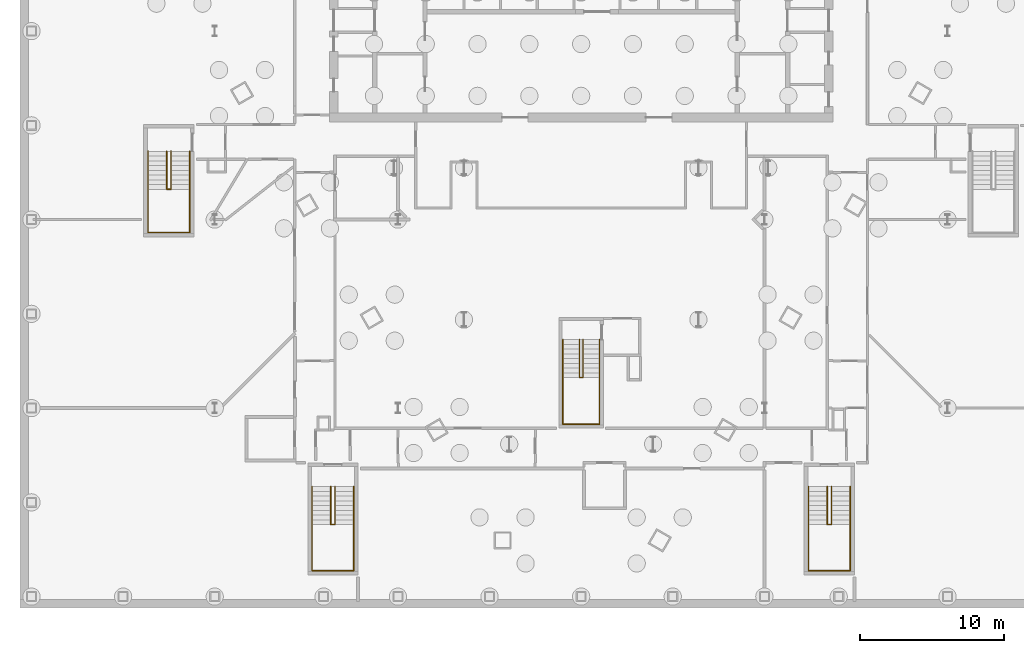
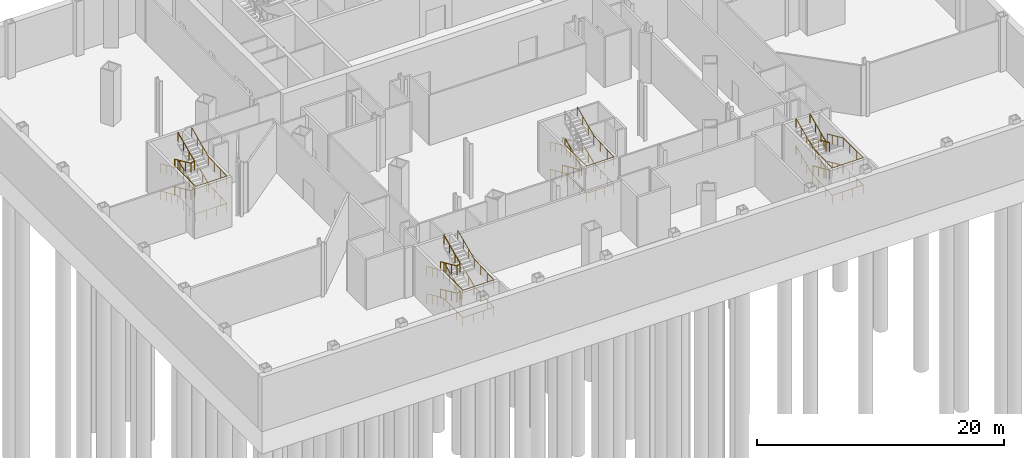
# One storey, part 17 of 19: 15 railings.
"""IFC4 building model written with IfcOpenShell, lengths in metres."""

from ifc_helpers import new_model, si_unit, direction, frame, origin, origin_2d, place, context, subcontext, project, spatial, circle, extrude, material, type_object, element, save


model = new_model("IFC4")

# Units and contexts
model_context = context("Model", 3, precision=1e-05, world=origin(), true_north=direction((0.0, 1.0)))
body_context = subcontext(model_context, "Body", "Model", "MODEL_VIEW")
ifc_project = project(units=[si_unit("LENGTHUNIT", "METRE"), si_unit("AREAUNIT", "SQUARE_METRE"), si_unit("VOLUMEUNIT", "CUBIC_METRE"), si_unit("PLANEANGLEUNIT", "RADIAN"), si_unit("MASSUNIT", "GRAM", prefix="KILO")], contexts=[model_context])

# Site, building, storey
site_placement = place(None, origin())
site = spatial("IfcSite", under=ifc_project, at=site_placement, CompositionType="ELEMENT")
building_placement = place(site_placement, origin())
building = spatial("IfcBuilding", under=site, at=building_placement, Name="Njiva Tower", CompositionType="ELEMENT")
storey_placement = place(building_placement, frame((0.0, 0.0, -16.8)))
storey = spatial("IfcBuildingStorey", under=building, at=storey_placement, Name="B3", CompositionType="ELEMENT", Elevation=-16.8)

# Railings
ifc_material = material(Name="Stainless steel", Category="steel")
railing_type = type_object("IfcRailingType", Name="RL1 Stair handrail 900", PredefinedType="HANDRAIL", material=ifc_material)
railing_1_placement = place(storey_placement, frame((-1.275, -15.135, 0.15)))
element("IfcRailing", 1, at=railing_1_placement, inside=storey, type_object=railing_type, Name="Stair C handrail", PredefinedType="HANDRAIL", context=body_context, shape_type="SweptSolid", body=[
    extrude(circle(Radius=0.024, at=origin_2d()), frame((0.0, 0.0, 0.876), z_axis=(0.0, -0.910366477463, 0.413802944301), x_axis=(1.0, 0.0, 0.0)), (0.0, 0.0, 1.0), 2.8999),
    extrude(circle(Radius=0.024, at=origin_2d()), frame((0.0, -2.64, 2.076), z_axis=(0.0, -1.0, 0.0), x_axis=(1.0, 0.0, 0.0)), (0.0, 0.0, 1.0), 3.25),
    extrude(circle(Radius=0.024, at=origin_2d()), frame((0.0, -5.89, 2.076), z_axis=(1.0, 0.0, 0.0), x_axis=(0.0, 1.0, 0.0)), (0.0, 0.0, 1.0), 2.55),
    extrude(circle(Radius=0.024, at=origin_2d()), frame((2.55, -5.89, 2.076), z_axis=(0.0, 0.998936609849, 0.046104766608), x_axis=(-1.0, 0.0, 0.0)), (0.0, 0.0, 1.0), 3.2535),
    extrude(circle(Radius=0.024, at=origin_2d()), frame((2.55, -2.64, 2.226), z_axis=(0.0, 0.910366477463, 0.413802944301), x_axis=(-1.0, 0.0, 0.0)), (0.0, 0.0, 1.0), 2.8999),
    extrude(circle(Radius=0.021, at=origin_2d()), origin(), (0.0, 0.0, 1.0), 0.852),
    extrude(circle(Radius=0.021, at=origin_2d()), frame((0.0, -0.88, 0.4)), (0.0, 0.0, 1.0), 0.852),
    extrude(circle(Radius=0.021, at=origin_2d()), frame((0.0, -1.76, 0.8)), (0.0, 0.0, 1.0), 0.852),
    extrude(circle(Radius=0.021, at=origin_2d()), frame((0.0, -2.64, 1.2)), (0.0, 0.0, 1.0), 0.852),
    extrude(circle(Radius=0.021, at=origin_2d()), frame((0.0, -3.7233, 1.2)), (0.0, 0.0, 1.0), 0.852),
    extrude(circle(Radius=0.021, at=origin_2d()), frame((0.0, -4.8067, 1.2)), (0.0, 0.0, 1.0), 0.852),
    extrude(circle(Radius=0.021, at=origin_2d()), frame((0.0, -5.89, 1.2)), (0.0, 0.0, 1.0), 0.852),
    extrude(circle(Radius=0.021, at=origin_2d()), frame((0.85, -5.89, 1.2)), (0.0, 0.0, 1.0), 0.852),
    extrude(circle(Radius=0.021, at=origin_2d()), frame((1.7, -5.89, 1.2)), (0.0, 0.0, 1.0), 0.852),
    extrude(circle(Radius=0.021, at=origin_2d()), frame((2.55, -5.89, 1.2)), (0.0, 0.0, 1.0), 0.852),
    extrude(circle(Radius=0.021, at=origin_2d()), frame((2.55, -4.8067, 1.25)), (0.0, 0.0, 1.0), 0.852),
    extrude(circle(Radius=0.021, at=origin_2d()), frame((2.55, -3.7233, 1.3)), (0.0, 0.0, 1.0), 0.852),
    extrude(circle(Radius=0.021, at=origin_2d()), frame((2.55, -2.64, 1.35)), (0.0, 0.0, 1.0), 0.852),
    extrude(circle(Radius=0.021, at=origin_2d()), frame((2.55, -1.76, 1.75)), (0.0, 0.0, 1.0), 0.852),
    extrude(circle(Radius=0.021, at=origin_2d()), frame((2.55, -0.88, 2.15)), (0.0, 0.0, 1.0), 0.852),
    extrude(circle(Radius=0.021, at=origin_2d()), frame((2.55, 0.0, 2.55)), (0.0, 0.0, 1.0), 0.852),
])
railing_2_placement = place(storey_placement, frame((-0.125, -15.135, 0.15)))
element("IfcRailing", 2, at=railing_2_placement, inside=storey, type_object=railing_type, Name="Stair C handrail", PredefinedType="HANDRAIL", context=body_context, shape_type="SweptSolid", body=[
    extrude(circle(Radius=0.024, at=origin_2d()), frame((0.0, 0.0, 0.876), z_axis=(0.0, -0.910366477463, 0.413802944301), x_axis=(1.0, 0.0, 0.0)), (0.0, 0.0, 1.0), 2.8999),
    extrude(circle(Radius=0.024, at=origin_2d()), frame((0.0, -2.64, 2.076), z_axis=(0.857492925713, 0.0, 0.514495755428), x_axis=(0.0, 1.0, 0.0)), (0.0, 0.0, 1.0), 0.2915),
    extrude(circle(Radius=0.024, at=origin_2d()), frame((0.25, -2.64, 2.226), z_axis=(0.0, 0.910366477463, 0.413802944301), x_axis=(-1.0, 0.0, 0.0)), (0.0, 0.0, 1.0), 2.8999),
    extrude(circle(Radius=0.021, at=origin_2d()), origin(), (0.0, 0.0, 1.0), 0.852),
    extrude(circle(Radius=0.021, at=origin_2d()), frame((0.0, -0.88, 0.4)), (0.0, 0.0, 1.0), 0.852),
    extrude(circle(Radius=0.021, at=origin_2d()), frame((0.0, -1.76, 0.8)), (0.0, 0.0, 1.0), 0.852),
    extrude(circle(Radius=0.021, at=origin_2d()), frame((0.0, -2.64, 1.2)), (0.0, 0.0, 1.0), 0.852),
    extrude(circle(Radius=0.021, at=origin_2d()), frame((0.25, -2.64, 1.35)), (0.0, 0.0, 1.0), 0.852),
    extrude(circle(Radius=0.021, at=origin_2d()), frame((0.25, -1.76, 1.75)), (0.0, 0.0, 1.0), 0.852),
    extrude(circle(Radius=0.021, at=origin_2d()), frame((0.25, -0.88, 2.15)), (0.0, 0.0, 1.0), 0.852),
    extrude(circle(Radius=0.021, at=origin_2d()), frame((0.25, 0.0, 2.55)), (0.0, 0.0, 1.0), 0.852),
])
railing_3_placement = place(storey_placement, frame((-1.275, -15.135, 2.85)))
element("IfcRailing", 3, at=railing_3_placement, inside=storey, type_object=railing_type, Name="Stair C handrail", PredefinedType="HANDRAIL", context=body_context, shape_type="SweptSolid", body=[
    extrude(circle(Radius=0.024, at=origin_2d()), frame((0.0, 0.0, 0.876), z_axis=(0.0, -0.910366477463, 0.413802944301), x_axis=(1.0, 0.0, 0.0)), (0.0, 0.0, 1.0), 2.8999),
    extrude(circle(Radius=0.024, at=origin_2d()), frame((0.0, -2.64, 2.076), z_axis=(0.0, -1.0, 0.0), x_axis=(1.0, 0.0, 0.0)), (0.0, 0.0, 1.0), 3.25),
    extrude(circle(Radius=0.024, at=origin_2d()), frame((0.0, -5.89, 2.076), z_axis=(1.0, 0.0, 0.0), x_axis=(0.0, 1.0, 0.0)), (0.0, 0.0, 1.0), 2.55),
    extrude(circle(Radius=0.024, at=origin_2d()), frame((2.55, -5.89, 2.076), z_axis=(0.0, 0.998936609849, 0.046104766608), x_axis=(-1.0, 0.0, 0.0)), (0.0, 0.0, 1.0), 3.2535),
    extrude(circle(Radius=0.024, at=origin_2d()), frame((2.55, -2.64, 2.226), z_axis=(0.0, 0.910366477463, 0.413802944301), x_axis=(-1.0, 0.0, 0.0)), (0.0, 0.0, 1.0), 2.8999),
    extrude(circle(Radius=0.021, at=origin_2d()), origin(), (0.0, 0.0, 1.0), 0.852),
    extrude(circle(Radius=0.021, at=origin_2d()), frame((0.0, -0.88, 0.4)), (0.0, 0.0, 1.0), 0.852),
    extrude(circle(Radius=0.021, at=origin_2d()), frame((0.0, -1.76, 0.8)), (0.0, 0.0, 1.0), 0.852),
    extrude(circle(Radius=0.021, at=origin_2d()), frame((0.0, -2.64, 1.2)), (0.0, 0.0, 1.0), 0.852),
    extrude(circle(Radius=0.021, at=origin_2d()), frame((0.0, -3.7233, 1.2)), (0.0, 0.0, 1.0), 0.852),
    extrude(circle(Radius=0.021, at=origin_2d()), frame((0.0, -4.8067, 1.2)), (0.0, 0.0, 1.0), 0.852),
    extrude(circle(Radius=0.021, at=origin_2d()), frame((0.0, -5.89, 1.2)), (0.0, 0.0, 1.0), 0.852),
    extrude(circle(Radius=0.021, at=origin_2d()), frame((0.85, -5.89, 1.2)), (0.0, 0.0, 1.0), 0.852),
    extrude(circle(Radius=0.021, at=origin_2d()), frame((1.7, -5.89, 1.2)), (0.0, 0.0, 1.0), 0.852),
    extrude(circle(Radius=0.021, at=origin_2d()), frame((2.55, -5.89, 1.2)), (0.0, 0.0, 1.0), 0.852),
    extrude(circle(Radius=0.021, at=origin_2d()), frame((2.55, -4.8067, 1.25)), (0.0, 0.0, 1.0), 0.852),
    extrude(circle(Radius=0.021, at=origin_2d()), frame((2.55, -3.7233, 1.3)), (0.0, 0.0, 1.0), 0.852),
    extrude(circle(Radius=0.021, at=origin_2d()), frame((2.55, -2.64, 1.35)), (0.0, 0.0, 1.0), 0.852),
    extrude(circle(Radius=0.021, at=origin_2d()), frame((2.55, -1.76, 1.75)), (0.0, 0.0, 1.0), 0.852),
    extrude(circle(Radius=0.021, at=origin_2d()), frame((2.55, -0.88, 2.15)), (0.0, 0.0, 1.0), 0.852),
    extrude(circle(Radius=0.021, at=origin_2d()), frame((2.55, 0.0, 2.55)), (0.0, 0.0, 1.0), 0.852),
])
railing_4_placement = place(storey_placement, frame((-18.7, -25.35, 0.15)))
element("IfcRailing", 4, at=railing_4_placement, inside=storey, type_object=railing_type, Name="Stair D handrail", PredefinedType="HANDRAIL", context=body_context, shape_type="SweptSolid", body=[
    extrude(circle(Radius=0.024, at=origin_2d()), frame((0.0, 0.0, 0.876), z_axis=(0.0, -0.910366477463, 0.413802944301), x_axis=(1.0, 0.0, 0.0)), (0.0, 0.0, 1.0), 2.8999),
    extrude(circle(Radius=0.024, at=origin_2d()), frame((0.0, -2.64, 2.076), z_axis=(0.0, -1.0, 0.0), x_axis=(1.0, 0.0, 0.0)), (0.0, 0.0, 1.0), 3.21),
    extrude(circle(Radius=0.024, at=origin_2d()), frame((0.0, -5.85, 2.076), z_axis=(1.0, 0.0, 0.0), x_axis=(0.0, 1.0, 0.0)), (0.0, 0.0, 1.0), 2.9),
    extrude(circle(Radius=0.024, at=origin_2d()), frame((2.9, -5.85, 2.076), z_axis=(0.0, 0.998909986378, 0.046678036747), x_axis=(-1.0, 0.0, 0.0)), (0.0, 0.0, 1.0), 3.2135),
    extrude(circle(Radius=0.024, at=origin_2d()), frame((2.9, -2.64, 2.226), z_axis=(0.0, 0.910366477463, 0.413802944301), x_axis=(-1.0, 0.0, 0.0)), (0.0, 0.0, 1.0), 2.8999),
    extrude(circle(Radius=0.021, at=origin_2d()), origin(), (0.0, 0.0, 1.0), 0.852),
    extrude(circle(Radius=0.021, at=origin_2d()), frame((0.0, -0.88, 0.4)), (0.0, 0.0, 1.0), 0.852),
    extrude(circle(Radius=0.021, at=origin_2d()), frame((0.0, -1.76, 0.8)), (0.0, 0.0, 1.0), 0.852),
    extrude(circle(Radius=0.021, at=origin_2d()), frame((0.0, -2.64, 1.2)), (0.0, 0.0, 1.0), 0.852),
    extrude(circle(Radius=0.021, at=origin_2d()), frame((0.0, -3.71, 1.2)), (0.0, 0.0, 1.0), 0.852),
    extrude(circle(Radius=0.021, at=origin_2d()), frame((0.0, -4.78, 1.2)), (0.0, 0.0, 1.0), 0.852),
    extrude(circle(Radius=0.021, at=origin_2d()), frame((0.0, -5.85, 1.2)), (0.0, 0.0, 1.0), 0.852),
    extrude(circle(Radius=0.021, at=origin_2d()), frame((0.9667, -5.85, 1.2)), (0.0, 0.0, 1.0), 0.852),
    extrude(circle(Radius=0.021, at=origin_2d()), frame((1.9333, -5.85, 1.2)), (0.0, 0.0, 1.0), 0.852),
    extrude(circle(Radius=0.021, at=origin_2d()), frame((2.9, -5.85, 1.2)), (0.0, 0.0, 1.0), 0.852),
    extrude(circle(Radius=0.021, at=origin_2d()), frame((2.9, -4.78, 1.25)), (0.0, 0.0, 1.0), 0.852),
    extrude(circle(Radius=0.021, at=origin_2d()), frame((2.9, -3.71, 1.3)), (0.0, 0.0, 1.0), 0.852),
    extrude(circle(Radius=0.021, at=origin_2d()), frame((2.9, -2.64, 1.35)), (0.0, 0.0, 1.0), 0.852),
    extrude(circle(Radius=0.021, at=origin_2d()), frame((2.9, -1.76, 1.75)), (0.0, 0.0, 1.0), 0.852),
    extrude(circle(Radius=0.021, at=origin_2d()), frame((2.9, -0.88, 2.15)), (0.0, 0.0, 1.0), 0.852),
    extrude(circle(Radius=0.021, at=origin_2d()), frame((2.9, 0.0, 2.55)), (0.0, 0.0, 1.0), 0.852),
])
railing_5_placement = place(storey_placement, frame((-17.4, -25.35, 0.15)))
element("IfcRailing", 5, at=railing_5_placement, inside=storey, type_object=railing_type, Name="Stair D handrail", PredefinedType="HANDRAIL", context=body_context, shape_type="SweptSolid", body=[
    extrude(circle(Radius=0.024, at=origin_2d()), frame((0.0, 0.0, 0.876), z_axis=(0.0, -0.910366477463, 0.413802944301), x_axis=(1.0, 0.0, 0.0)), (0.0, 0.0, 1.0), 2.8999),
    extrude(circle(Radius=0.024, at=origin_2d()), frame((0.0, -2.64, 2.076), z_axis=(0.894427191, 0.0, 0.4472135955), x_axis=(0.0, 1.0, 0.0)), (0.0, 0.0, 1.0), 0.3354),
    extrude(circle(Radius=0.024, at=origin_2d()), frame((0.3, -2.64, 2.226), z_axis=(0.0, 0.910366477463, 0.413802944301), x_axis=(-1.0, 0.0, 0.0)), (0.0, 0.0, 1.0), 2.8999),
    extrude(circle(Radius=0.021, at=origin_2d()), origin(), (0.0, 0.0, 1.0), 0.852),
    extrude(circle(Radius=0.021, at=origin_2d()), frame((0.0, -0.88, 0.4)), (0.0, 0.0, 1.0), 0.852),
    extrude(circle(Radius=0.021, at=origin_2d()), frame((0.0, -1.76, 0.8)), (0.0, 0.0, 1.0), 0.852),
    extrude(circle(Radius=0.021, at=origin_2d()), frame((0.0, -2.64, 1.2)), (0.0, 0.0, 1.0), 0.852),
    extrude(circle(Radius=0.021, at=origin_2d()), frame((0.3, -2.64, 1.35)), (0.0, 0.0, 1.0), 0.852),
    extrude(circle(Radius=0.021, at=origin_2d()), frame((0.3, -1.76, 1.75)), (0.0, 0.0, 1.0), 0.852),
    extrude(circle(Radius=0.021, at=origin_2d()), frame((0.3, -0.88, 2.15)), (0.0, 0.0, 1.0), 0.852),
    extrude(circle(Radius=0.021, at=origin_2d()), frame((0.3, 0.0, 2.55)), (0.0, 0.0, 1.0), 0.852),
])
railing_6_placement = place(storey_placement, frame((-18.7, -25.35, 2.85)))
element("IfcRailing", 6, at=railing_6_placement, inside=storey, type_object=railing_type, Name="Stair D handrail", PredefinedType="HANDRAIL", context=body_context, shape_type="SweptSolid", body=[
    extrude(circle(Radius=0.024, at=origin_2d()), frame((0.0, 0.0, 0.876), z_axis=(0.0, -0.910366477463, 0.413802944301), x_axis=(1.0, 0.0, 0.0)), (0.0, 0.0, 1.0), 2.8999),
    extrude(circle(Radius=0.024, at=origin_2d()), frame((0.0, -2.64, 2.076), z_axis=(0.0, -1.0, 0.0), x_axis=(1.0, 0.0, 0.0)), (0.0, 0.0, 1.0), 3.21),
    extrude(circle(Radius=0.024, at=origin_2d()), frame((0.0, -5.85, 2.076), z_axis=(1.0, 0.0, 0.0), x_axis=(0.0, 1.0, 0.0)), (0.0, 0.0, 1.0), 2.9),
    extrude(circle(Radius=0.024, at=origin_2d()), frame((2.9, -5.85, 2.076), z_axis=(0.0, 0.998909986378, 0.046678036747), x_axis=(-1.0, 0.0, 0.0)), (0.0, 0.0, 1.0), 3.2135),
    extrude(circle(Radius=0.024, at=origin_2d()), frame((2.9, -2.64, 2.226), z_axis=(0.0, 0.910366477463, 0.413802944301), x_axis=(-1.0, 0.0, 0.0)), (0.0, 0.0, 1.0), 2.8999),
    extrude(circle(Radius=0.021, at=origin_2d()), origin(), (0.0, 0.0, 1.0), 0.852),
    extrude(circle(Radius=0.021, at=origin_2d()), frame((0.0, -0.88, 0.4)), (0.0, 0.0, 1.0), 0.852),
    extrude(circle(Radius=0.021, at=origin_2d()), frame((0.0, -1.76, 0.8)), (0.0, 0.0, 1.0), 0.852),
    extrude(circle(Radius=0.021, at=origin_2d()), frame((0.0, -2.64, 1.2)), (0.0, 0.0, 1.0), 0.852),
    extrude(circle(Radius=0.021, at=origin_2d()), frame((0.0, -3.71, 1.2)), (0.0, 0.0, 1.0), 0.852),
    extrude(circle(Radius=0.021, at=origin_2d()), frame((0.0, -4.78, 1.2)), (0.0, 0.0, 1.0), 0.852),
    extrude(circle(Radius=0.021, at=origin_2d()), frame((0.0, -5.85, 1.2)), (0.0, 0.0, 1.0), 0.852),
    extrude(circle(Radius=0.021, at=origin_2d()), frame((0.9667, -5.85, 1.2)), (0.0, 0.0, 1.0), 0.852),
    extrude(circle(Radius=0.021, at=origin_2d()), frame((1.9333, -5.85, 1.2)), (0.0, 0.0, 1.0), 0.852),
    extrude(circle(Radius=0.021, at=origin_2d()), frame((2.9, -5.85, 1.2)), (0.0, 0.0, 1.0), 0.852),
    extrude(circle(Radius=0.021, at=origin_2d()), frame((2.9, -4.78, 1.25)), (0.0, 0.0, 1.0), 0.852),
    extrude(circle(Radius=0.021, at=origin_2d()), frame((2.9, -3.71, 1.3)), (0.0, 0.0, 1.0), 0.852),
    extrude(circle(Radius=0.021, at=origin_2d()), frame((2.9, -2.64, 1.35)), (0.0, 0.0, 1.0), 0.852),
    extrude(circle(Radius=0.021, at=origin_2d()), frame((2.9, -1.76, 1.75)), (0.0, 0.0, 1.0), 0.852),
    extrude(circle(Radius=0.021, at=origin_2d()), frame((2.9, -0.88, 2.15)), (0.0, 0.0, 1.0), 0.852),
    extrude(circle(Radius=0.021, at=origin_2d()), frame((2.9, 0.0, 2.55)), (0.0, 0.0, 1.0), 0.852),
])
railing_7_placement = place(storey_placement, frame((-17.4, -25.35, 2.85)))
element("IfcRailing", 7, at=railing_7_placement, inside=storey, type_object=railing_type, Name="Stair D handrail", PredefinedType="HANDRAIL", context=body_context, shape_type="SweptSolid", body=[
    extrude(circle(Radius=0.024, at=origin_2d()), frame((0.0, 0.0, 0.876), z_axis=(0.0, -0.910366477463, 0.413802944301), x_axis=(1.0, 0.0, 0.0)), (0.0, 0.0, 1.0), 2.8999),
    extrude(circle(Radius=0.024, at=origin_2d()), frame((0.0, -2.64, 2.076), z_axis=(0.894427191, 0.0, 0.4472135955), x_axis=(0.0, 1.0, 0.0)), (0.0, 0.0, 1.0), 0.3354),
    extrude(circle(Radius=0.024, at=origin_2d()), frame((0.3, -2.64, 2.226), z_axis=(0.0, 0.910366477463, 0.413802944301), x_axis=(-1.0, 0.0, 0.0)), (0.0, 0.0, 1.0), 2.8999),
    extrude(circle(Radius=0.021, at=origin_2d()), origin(), (0.0, 0.0, 1.0), 0.852),
    extrude(circle(Radius=0.021, at=origin_2d()), frame((0.0, -0.88, 0.4)), (0.0, 0.0, 1.0), 0.852),
    extrude(circle(Radius=0.021, at=origin_2d()), frame((0.0, -1.76, 0.8)), (0.0, 0.0, 1.0), 0.852),
    extrude(circle(Radius=0.021, at=origin_2d()), frame((0.0, -2.64, 1.2)), (0.0, 0.0, 1.0), 0.852),
    extrude(circle(Radius=0.021, at=origin_2d()), frame((0.3, -2.64, 1.35)), (0.0, 0.0, 1.0), 0.852),
    extrude(circle(Radius=0.021, at=origin_2d()), frame((0.3, -1.76, 1.75)), (0.0, 0.0, 1.0), 0.852),
    extrude(circle(Radius=0.021, at=origin_2d()), frame((0.3, -0.88, 2.15)), (0.0, 0.0, 1.0), 0.852),
    extrude(circle(Radius=0.021, at=origin_2d()), frame((0.3, 0.0, 2.55)), (0.0, 0.0, 1.0), 0.852),
])
railing_8_placement = place(storey_placement, frame((18.7, -25.35, 0.15)))
element("IfcRailing", 8, at=railing_8_placement, inside=storey, type_object=railing_type, Name="Stair E handrail", PredefinedType="HANDRAIL", context=body_context, shape_type="SweptSolid", body=[
    extrude(circle(Radius=0.024, at=origin_2d()), frame((0.0, 0.0, 0.876), z_axis=(0.0, -0.910366477463, 0.413802944301), x_axis=(1.0, 0.0, 0.0)), (0.0, 0.0, 1.0), 2.8999),
    extrude(circle(Radius=0.024, at=origin_2d()), frame((0.0, -2.64, 2.076), z_axis=(0.0, -1.0, 0.0), x_axis=(1.0, 0.0, 0.0)), (0.0, 0.0, 1.0), 3.21),
    extrude(circle(Radius=0.024, at=origin_2d()), frame((0.0, -5.85, 2.076), z_axis=(-1.0, 0.0, 0.0), x_axis=(0.0, -1.0, 0.0)), (0.0, 0.0, 1.0), 2.9),
    extrude(circle(Radius=0.024, at=origin_2d()), frame((-2.9, -5.85, 2.076), z_axis=(0.0, 0.998909986378, 0.046678036747), x_axis=(-1.0, 0.0, 0.0)), (0.0, 0.0, 1.0), 3.2135),
    extrude(circle(Radius=0.024, at=origin_2d()), frame((-2.9, -2.64, 2.226), z_axis=(0.0, 0.910366477463, 0.413802944301), x_axis=(-1.0, 0.0, 0.0)), (0.0, 0.0, 1.0), 2.8999),
    extrude(circle(Radius=0.021, at=origin_2d()), origin(), (0.0, 0.0, 1.0), 0.852),
    extrude(circle(Radius=0.021, at=origin_2d()), frame((0.0, -0.88, 0.4)), (0.0, 0.0, 1.0), 0.852),
    extrude(circle(Radius=0.021, at=origin_2d()), frame((0.0, -1.76, 0.8)), (0.0, 0.0, 1.0), 0.852),
    extrude(circle(Radius=0.021, at=origin_2d()), frame((0.0, -2.64, 1.2)), (0.0, 0.0, 1.0), 0.852),
    extrude(circle(Radius=0.021, at=origin_2d()), frame((0.0, -3.71, 1.2)), (0.0, 0.0, 1.0), 0.852),
    extrude(circle(Radius=0.021, at=origin_2d()), frame((0.0, -4.78, 1.2)), (0.0, 0.0, 1.0), 0.852),
    extrude(circle(Radius=0.021, at=origin_2d()), frame((0.0, -5.85, 1.2)), (0.0, 0.0, 1.0), 0.852),
    extrude(circle(Radius=0.021, at=origin_2d()), frame((-0.9667, -5.85, 1.2)), (0.0, 0.0, 1.0), 0.852),
    extrude(circle(Radius=0.021, at=origin_2d()), frame((-1.9333, -5.85, 1.2)), (0.0, 0.0, 1.0), 0.852),
    extrude(circle(Radius=0.021, at=origin_2d()), frame((-2.9, -5.85, 1.2)), (0.0, 0.0, 1.0), 0.852),
    extrude(circle(Radius=0.021, at=origin_2d()), frame((-2.9, -4.78, 1.25)), (0.0, 0.0, 1.0), 0.852),
    extrude(circle(Radius=0.021, at=origin_2d()), frame((-2.9, -3.71, 1.3)), (0.0, 0.0, 1.0), 0.852),
    extrude(circle(Radius=0.021, at=origin_2d()), frame((-2.9, -2.64, 1.35)), (0.0, 0.0, 1.0), 0.852),
    extrude(circle(Radius=0.021, at=origin_2d()), frame((-2.9, -1.76, 1.75)), (0.0, 0.0, 1.0), 0.852),
    extrude(circle(Radius=0.021, at=origin_2d()), frame((-2.9, -0.88, 2.15)), (0.0, 0.0, 1.0), 0.852),
    extrude(circle(Radius=0.021, at=origin_2d()), frame((-2.9, 0.0, 2.55)), (0.0, 0.0, 1.0), 0.852),
])
railing_9_placement = place(storey_placement, frame((17.4, -25.35, 0.15)))
element("IfcRailing", 9, at=railing_9_placement, inside=storey, type_object=railing_type, Name="Stair E handrail", PredefinedType="HANDRAIL", context=body_context, shape_type="SweptSolid", body=[
    extrude(circle(Radius=0.024, at=origin_2d()), frame((0.0, 0.0, 0.876), z_axis=(0.0, -0.910366477463, 0.413802944301), x_axis=(1.0, 0.0, 0.0)), (0.0, 0.0, 1.0), 2.8999),
    extrude(circle(Radius=0.024, at=origin_2d()), frame((0.0, -2.64, 2.076), z_axis=(-0.894427191, 0.0, 0.4472135955), x_axis=(0.0, -1.0, 0.0)), (0.0, 0.0, 1.0), 0.3354),
    extrude(circle(Radius=0.024, at=origin_2d()), frame((-0.3, -2.64, 2.226), z_axis=(0.0, 0.910366477463, 0.413802944301), x_axis=(-1.0, 0.0, 0.0)), (0.0, 0.0, 1.0), 2.8999),
    extrude(circle(Radius=0.021, at=origin_2d()), origin(), (0.0, 0.0, 1.0), 0.852),
    extrude(circle(Radius=0.021, at=origin_2d()), frame((0.0, -0.88, 0.4)), (0.0, 0.0, 1.0), 0.852),
    extrude(circle(Radius=0.021, at=origin_2d()), frame((0.0, -1.76, 0.8)), (0.0, 0.0, 1.0), 0.852),
    extrude(circle(Radius=0.021, at=origin_2d()), frame((0.0, -2.64, 1.2)), (0.0, 0.0, 1.0), 0.852),
    extrude(circle(Radius=0.021, at=origin_2d()), frame((-0.3, -2.64, 1.35)), (0.0, 0.0, 1.0), 0.852),
    extrude(circle(Radius=0.021, at=origin_2d()), frame((-0.3, -1.76, 1.75)), (0.0, 0.0, 1.0), 0.852),
    extrude(circle(Radius=0.021, at=origin_2d()), frame((-0.3, -0.88, 2.15)), (0.0, 0.0, 1.0), 0.852),
    extrude(circle(Radius=0.021, at=origin_2d()), frame((-0.3, 0.0, 2.55)), (0.0, 0.0, 1.0), 0.852),
])
railing_10_placement = place(storey_placement, frame((18.7, -25.35, 2.85)))
element("IfcRailing", 10, at=railing_10_placement, inside=storey, type_object=railing_type, Name="Stair E handrail", PredefinedType="HANDRAIL", context=body_context, shape_type="SweptSolid", body=[
    extrude(circle(Radius=0.024, at=origin_2d()), frame((0.0, 0.0, 0.876), z_axis=(0.0, -0.910366477463, 0.413802944301), x_axis=(1.0, 0.0, 0.0)), (0.0, 0.0, 1.0), 2.8999),
    extrude(circle(Radius=0.024, at=origin_2d()), frame((0.0, -2.64, 2.076), z_axis=(0.0, -1.0, 0.0), x_axis=(1.0, 0.0, 0.0)), (0.0, 0.0, 1.0), 3.21),
    extrude(circle(Radius=0.024, at=origin_2d()), frame((0.0, -5.85, 2.076), z_axis=(-1.0, 0.0, 0.0), x_axis=(0.0, -1.0, 0.0)), (0.0, 0.0, 1.0), 2.9),
    extrude(circle(Radius=0.024, at=origin_2d()), frame((-2.9, -5.85, 2.076), z_axis=(0.0, 0.998909986378, 0.046678036747), x_axis=(-1.0, 0.0, 0.0)), (0.0, 0.0, 1.0), 3.2135),
    extrude(circle(Radius=0.024, at=origin_2d()), frame((-2.9, -2.64, 2.226), z_axis=(0.0, 0.910366477463, 0.413802944301), x_axis=(-1.0, 0.0, 0.0)), (0.0, 0.0, 1.0), 2.8999),
    extrude(circle(Radius=0.021, at=origin_2d()), origin(), (0.0, 0.0, 1.0), 0.852),
    extrude(circle(Radius=0.021, at=origin_2d()), frame((0.0, -0.88, 0.4)), (0.0, 0.0, 1.0), 0.852),
    extrude(circle(Radius=0.021, at=origin_2d()), frame((0.0, -1.76, 0.8)), (0.0, 0.0, 1.0), 0.852),
    extrude(circle(Radius=0.021, at=origin_2d()), frame((0.0, -2.64, 1.2)), (0.0, 0.0, 1.0), 0.852),
    extrude(circle(Radius=0.021, at=origin_2d()), frame((0.0, -3.71, 1.2)), (0.0, 0.0, 1.0), 0.852),
    extrude(circle(Radius=0.021, at=origin_2d()), frame((0.0, -4.78, 1.2)), (0.0, 0.0, 1.0), 0.852),
    extrude(circle(Radius=0.021, at=origin_2d()), frame((0.0, -5.85, 1.2)), (0.0, 0.0, 1.0), 0.852),
    extrude(circle(Radius=0.021, at=origin_2d()), frame((-0.9667, -5.85, 1.2)), (0.0, 0.0, 1.0), 0.852),
    extrude(circle(Radius=0.021, at=origin_2d()), frame((-1.9333, -5.85, 1.2)), (0.0, 0.0, 1.0), 0.852),
    extrude(circle(Radius=0.021, at=origin_2d()), frame((-2.9, -5.85, 1.2)), (0.0, 0.0, 1.0), 0.852),
    extrude(circle(Radius=0.021, at=origin_2d()), frame((-2.9, -4.78, 1.25)), (0.0, 0.0, 1.0), 0.852),
    extrude(circle(Radius=0.021, at=origin_2d()), frame((-2.9, -3.71, 1.3)), (0.0, 0.0, 1.0), 0.852),
    extrude(circle(Radius=0.021, at=origin_2d()), frame((-2.9, -2.64, 1.35)), (0.0, 0.0, 1.0), 0.852),
    extrude(circle(Radius=0.021, at=origin_2d()), frame((-2.9, -1.76, 1.75)), (0.0, 0.0, 1.0), 0.852),
    extrude(circle(Radius=0.021, at=origin_2d()), frame((-2.9, -0.88, 2.15)), (0.0, 0.0, 1.0), 0.852),
    extrude(circle(Radius=0.021, at=origin_2d()), frame((-2.9, 0.0, 2.55)), (0.0, 0.0, 1.0), 0.852),
])
railing_11_placement = place(storey_placement, frame((17.4, -25.35, 2.85)))
element("IfcRailing", 11, at=railing_11_placement, inside=storey, type_object=railing_type, Name="Stair E handrail", PredefinedType="HANDRAIL", context=body_context, shape_type="SweptSolid", body=[
    extrude(circle(Radius=0.024, at=origin_2d()), frame((0.0, 0.0, 0.876), z_axis=(0.0, -0.910366477463, 0.413802944301), x_axis=(1.0, 0.0, 0.0)), (0.0, 0.0, 1.0), 2.8999),
    extrude(circle(Radius=0.024, at=origin_2d()), frame((0.0, -2.64, 2.076), z_axis=(-0.894427191, 0.0, 0.4472135955), x_axis=(0.0, -1.0, 0.0)), (0.0, 0.0, 1.0), 0.3354),
    extrude(circle(Radius=0.024, at=origin_2d()), frame((-0.3, -2.64, 2.226), z_axis=(0.0, 0.910366477463, 0.413802944301), x_axis=(-1.0, 0.0, 0.0)), (0.0, 0.0, 1.0), 2.8999),
    extrude(circle(Radius=0.021, at=origin_2d()), origin(), (0.0, 0.0, 1.0), 0.852),
    extrude(circle(Radius=0.021, at=origin_2d()), frame((0.0, -0.88, 0.4)), (0.0, 0.0, 1.0), 0.852),
    extrude(circle(Radius=0.021, at=origin_2d()), frame((0.0, -1.76, 0.8)), (0.0, 0.0, 1.0), 0.852),
    extrude(circle(Radius=0.021, at=origin_2d()), frame((0.0, -2.64, 1.2)), (0.0, 0.0, 1.0), 0.852),
    extrude(circle(Radius=0.021, at=origin_2d()), frame((-0.3, -2.64, 1.35)), (0.0, 0.0, 1.0), 0.852),
    extrude(circle(Radius=0.021, at=origin_2d()), frame((-0.3, -1.76, 1.75)), (0.0, 0.0, 1.0), 0.852),
    extrude(circle(Radius=0.021, at=origin_2d()), frame((-0.3, -0.88, 2.15)), (0.0, 0.0, 1.0), 0.852),
    extrude(circle(Radius=0.021, at=origin_2d()), frame((-0.3, 0.0, 2.55)), (0.0, 0.0, 1.0), 0.852),
])
railing_12_placement = place(storey_placement, frame((-30.1, -2.05, 0.15)))
element("IfcRailing", 12, at=railing_12_placement, inside=storey, type_object=railing_type, Name="Stair F handrail", PredefinedType="HANDRAIL", context=body_context, shape_type="SweptSolid", body=[
    extrude(circle(Radius=0.024, at=origin_2d()), frame((0.0, 0.0, 0.876), z_axis=(0.0, -0.910366477463, 0.413802944301), x_axis=(1.0, 0.0, 0.0)), (0.0, 0.0, 1.0), 2.8999),
    extrude(circle(Radius=0.024, at=origin_2d()), frame((0.0, -2.64, 2.076), z_axis=(0.0, -1.0, 0.0), x_axis=(1.0, 0.0, 0.0)), (0.0, 0.0, 1.0), 3.01),
    extrude(circle(Radius=0.024, at=origin_2d()), frame((0.0, -5.65, 2.076), z_axis=(1.0, 0.0, 0.0), x_axis=(0.0, 1.0, 0.0)), (0.0, 0.0, 1.0), 2.9),
    extrude(circle(Radius=0.024, at=origin_2d()), frame((2.9, -5.65, 2.076), z_axis=(0.0, 0.998760599834, 0.049772122915), x_axis=(-1.0, 0.0, 0.0)), (0.0, 0.0, 1.0), 3.0137),
    extrude(circle(Radius=0.024, at=origin_2d()), frame((2.9, -2.64, 2.226), z_axis=(0.0, 0.910366477463, 0.413802944301), x_axis=(-1.0, 0.0, 0.0)), (0.0, 0.0, 1.0), 2.8999),
    extrude(circle(Radius=0.021, at=origin_2d()), origin(), (0.0, 0.0, 1.0), 0.852),
    extrude(circle(Radius=0.021, at=origin_2d()), frame((0.0, -0.88, 0.4)), (0.0, 0.0, 1.0), 0.852),
    extrude(circle(Radius=0.021, at=origin_2d()), frame((0.0, -1.76, 0.8)), (0.0, 0.0, 1.0), 0.852),
    extrude(circle(Radius=0.021, at=origin_2d()), frame((0.0, -2.64, 1.2)), (0.0, 0.0, 1.0), 0.852),
    extrude(circle(Radius=0.021, at=origin_2d()), frame((0.0, -3.6433, 1.2)), (0.0, 0.0, 1.0), 0.852),
    extrude(circle(Radius=0.021, at=origin_2d()), frame((0.0, -4.6467, 1.2)), (0.0, 0.0, 1.0), 0.852),
    extrude(circle(Radius=0.021, at=origin_2d()), frame((0.0, -5.65, 1.2)), (0.0, 0.0, 1.0), 0.852),
    extrude(circle(Radius=0.021, at=origin_2d()), frame((0.9667, -5.65, 1.2)), (0.0, 0.0, 1.0), 0.852),
    extrude(circle(Radius=0.021, at=origin_2d()), frame((1.9333, -5.65, 1.2)), (0.0, 0.0, 1.0), 0.852),
    extrude(circle(Radius=0.021, at=origin_2d()), frame((2.9, -5.65, 1.2)), (0.0, 0.0, 1.0), 0.852),
    extrude(circle(Radius=0.021, at=origin_2d()), frame((2.9, -4.6467, 1.25)), (0.0, 0.0, 1.0), 0.852),
    extrude(circle(Radius=0.021, at=origin_2d()), frame((2.9, -3.6433, 1.3)), (0.0, 0.0, 1.0), 0.852),
    extrude(circle(Radius=0.021, at=origin_2d()), frame((2.9, -2.64, 1.35)), (0.0, 0.0, 1.0), 0.852),
    extrude(circle(Radius=0.021, at=origin_2d()), frame((2.9, -1.76, 1.75)), (0.0, 0.0, 1.0), 0.852),
    extrude(circle(Radius=0.021, at=origin_2d()), frame((2.9, -0.88, 2.15)), (0.0, 0.0, 1.0), 0.852),
    extrude(circle(Radius=0.021, at=origin_2d()), frame((2.9, 0.0, 2.55)), (0.0, 0.0, 1.0), 0.852),
])
railing_13_placement = place(storey_placement, frame((-28.8, -2.05, 0.15)))
element("IfcRailing", 13, at=railing_13_placement, inside=storey, type_object=railing_type, Name="Stair F handrail", PredefinedType="HANDRAIL", context=body_context, shape_type="SweptSolid", body=[
    extrude(circle(Radius=0.024, at=origin_2d()), frame((0.0, 0.0, 0.876), z_axis=(0.0, -0.910366477463, 0.413802944301), x_axis=(1.0, 0.0, 0.0)), (0.0, 0.0, 1.0), 2.8999),
    extrude(circle(Radius=0.024, at=origin_2d()), frame((0.0, -2.64, 2.076), z_axis=(0.894427191, 0.0, 0.4472135955), x_axis=(0.0, 1.0, 0.0)), (0.0, 0.0, 1.0), 0.3354),
    extrude(circle(Radius=0.024, at=origin_2d()), frame((0.3, -2.64, 2.226), z_axis=(0.0, 0.910366477463, 0.413802944301), x_axis=(-1.0, 0.0, 0.0)), (0.0, 0.0, 1.0), 2.8999),
    extrude(circle(Radius=0.021, at=origin_2d()), origin(), (0.0, 0.0, 1.0), 0.852),
    extrude(circle(Radius=0.021, at=origin_2d()), frame((0.0, -0.88, 0.4)), (0.0, 0.0, 1.0), 0.852),
    extrude(circle(Radius=0.021, at=origin_2d()), frame((0.0, -1.76, 0.8)), (0.0, 0.0, 1.0), 0.852),
    extrude(circle(Radius=0.021, at=origin_2d()), frame((0.0, -2.64, 1.2)), (0.0, 0.0, 1.0), 0.852),
    extrude(circle(Radius=0.021, at=origin_2d()), frame((0.3, -2.64, 1.35)), (0.0, 0.0, 1.0), 0.852),
    extrude(circle(Radius=0.021, at=origin_2d()), frame((0.3, -1.76, 1.75)), (0.0, 0.0, 1.0), 0.852),
    extrude(circle(Radius=0.021, at=origin_2d()), frame((0.3, -0.88, 2.15)), (0.0, 0.0, 1.0), 0.852),
    extrude(circle(Radius=0.021, at=origin_2d()), frame((0.3, 0.0, 2.55)), (0.0, 0.0, 1.0), 0.852),
])
railing_14_placement = place(storey_placement, frame((-30.1, -2.05, 2.85)))
element("IfcRailing", 14, at=railing_14_placement, inside=storey, type_object=railing_type, Name="Stair F handrail", PredefinedType="HANDRAIL", context=body_context, shape_type="SweptSolid", body=[
    extrude(circle(Radius=0.024, at=origin_2d()), frame((0.0, 0.0, 0.876), z_axis=(0.0, -0.910366477463, 0.413802944301), x_axis=(1.0, 0.0, 0.0)), (0.0, 0.0, 1.0), 2.8999),
    extrude(circle(Radius=0.024, at=origin_2d()), frame((0.0, -2.64, 2.076), z_axis=(0.0, -1.0, 0.0), x_axis=(1.0, 0.0, 0.0)), (0.0, 0.0, 1.0), 3.01),
    extrude(circle(Radius=0.024, at=origin_2d()), frame((0.0, -5.65, 2.076), z_axis=(1.0, 0.0, 0.0), x_axis=(0.0, 1.0, 0.0)), (0.0, 0.0, 1.0), 2.9),
    extrude(circle(Radius=0.024, at=origin_2d()), frame((2.9, -5.65, 2.076), z_axis=(0.0, 0.998760599834, 0.049772122915), x_axis=(-1.0, 0.0, 0.0)), (0.0, 0.0, 1.0), 3.0137),
    extrude(circle(Radius=0.024, at=origin_2d()), frame((2.9, -2.64, 2.226), z_axis=(0.0, 0.910366477463, 0.413802944301), x_axis=(-1.0, 0.0, 0.0)), (0.0, 0.0, 1.0), 2.8999),
    extrude(circle(Radius=0.021, at=origin_2d()), origin(), (0.0, 0.0, 1.0), 0.852),
    extrude(circle(Radius=0.021, at=origin_2d()), frame((0.0, -0.88, 0.4)), (0.0, 0.0, 1.0), 0.852),
    extrude(circle(Radius=0.021, at=origin_2d()), frame((0.0, -1.76, 0.8)), (0.0, 0.0, 1.0), 0.852),
    extrude(circle(Radius=0.021, at=origin_2d()), frame((0.0, -2.64, 1.2)), (0.0, 0.0, 1.0), 0.852),
    extrude(circle(Radius=0.021, at=origin_2d()), frame((0.0, -3.6433, 1.2)), (0.0, 0.0, 1.0), 0.852),
    extrude(circle(Radius=0.021, at=origin_2d()), frame((0.0, -4.6467, 1.2)), (0.0, 0.0, 1.0), 0.852),
    extrude(circle(Radius=0.021, at=origin_2d()), frame((0.0, -5.65, 1.2)), (0.0, 0.0, 1.0), 0.852),
    extrude(circle(Radius=0.021, at=origin_2d()), frame((0.9667, -5.65, 1.2)), (0.0, 0.0, 1.0), 0.852),
    extrude(circle(Radius=0.021, at=origin_2d()), frame((1.9333, -5.65, 1.2)), (0.0, 0.0, 1.0), 0.852),
    extrude(circle(Radius=0.021, at=origin_2d()), frame((2.9, -5.65, 1.2)), (0.0, 0.0, 1.0), 0.852),
    extrude(circle(Radius=0.021, at=origin_2d()), frame((2.9, -4.6467, 1.25)), (0.0, 0.0, 1.0), 0.852),
    extrude(circle(Radius=0.021, at=origin_2d()), frame((2.9, -3.6433, 1.3)), (0.0, 0.0, 1.0), 0.852),
    extrude(circle(Radius=0.021, at=origin_2d()), frame((2.9, -2.64, 1.35)), (0.0, 0.0, 1.0), 0.852),
    extrude(circle(Radius=0.021, at=origin_2d()), frame((2.9, -1.76, 1.75)), (0.0, 0.0, 1.0), 0.852),
    extrude(circle(Radius=0.021, at=origin_2d()), frame((2.9, -0.88, 2.15)), (0.0, 0.0, 1.0), 0.852),
    extrude(circle(Radius=0.021, at=origin_2d()), frame((2.9, 0.0, 2.55)), (0.0, 0.0, 1.0), 0.852),
])
railing_15_placement = place(storey_placement, frame((-28.8, -2.05, 2.85)))
element("IfcRailing", 15, at=railing_15_placement, inside=storey, type_object=railing_type, Name="Stair F handrail", PredefinedType="HANDRAIL", context=body_context, shape_type="SweptSolid", body=[
    extrude(circle(Radius=0.024, at=origin_2d()), frame((0.0, 0.0, 0.876), z_axis=(0.0, -0.910366477463, 0.413802944301), x_axis=(1.0, 0.0, 0.0)), (0.0, 0.0, 1.0), 2.8999),
    extrude(circle(Radius=0.024, at=origin_2d()), frame((0.0, -2.64, 2.076), z_axis=(0.894427191, 0.0, 0.4472135955), x_axis=(0.0, 1.0, 0.0)), (0.0, 0.0, 1.0), 0.3354),
    extrude(circle(Radius=0.024, at=origin_2d()), frame((0.3, -2.64, 2.226), z_axis=(0.0, 0.910366477463, 0.413802944301), x_axis=(-1.0, 0.0, 0.0)), (0.0, 0.0, 1.0), 2.8999),
    extrude(circle(Radius=0.021, at=origin_2d()), origin(), (0.0, 0.0, 1.0), 0.852),
    extrude(circle(Radius=0.021, at=origin_2d()), frame((0.0, -0.88, 0.4)), (0.0, 0.0, 1.0), 0.852),
    extrude(circle(Radius=0.021, at=origin_2d()), frame((0.0, -1.76, 0.8)), (0.0, 0.0, 1.0), 0.852),
    extrude(circle(Radius=0.021, at=origin_2d()), frame((0.0, -2.64, 1.2)), (0.0, 0.0, 1.0), 0.852),
    extrude(circle(Radius=0.021, at=origin_2d()), frame((0.3, -2.64, 1.35)), (0.0, 0.0, 1.0), 0.852),
    extrude(circle(Radius=0.021, at=origin_2d()), frame((0.3, -1.76, 1.75)), (0.0, 0.0, 1.0), 0.852),
    extrude(circle(Radius=0.021, at=origin_2d()), frame((0.3, -0.88, 2.15)), (0.0, 0.0, 1.0), 0.852),
    extrude(circle(Radius=0.021, at=origin_2d()), frame((0.3, 0.0, 2.55)), (0.0, 0.0, 1.0), 0.852),
])

save(model, "model.ifc")
